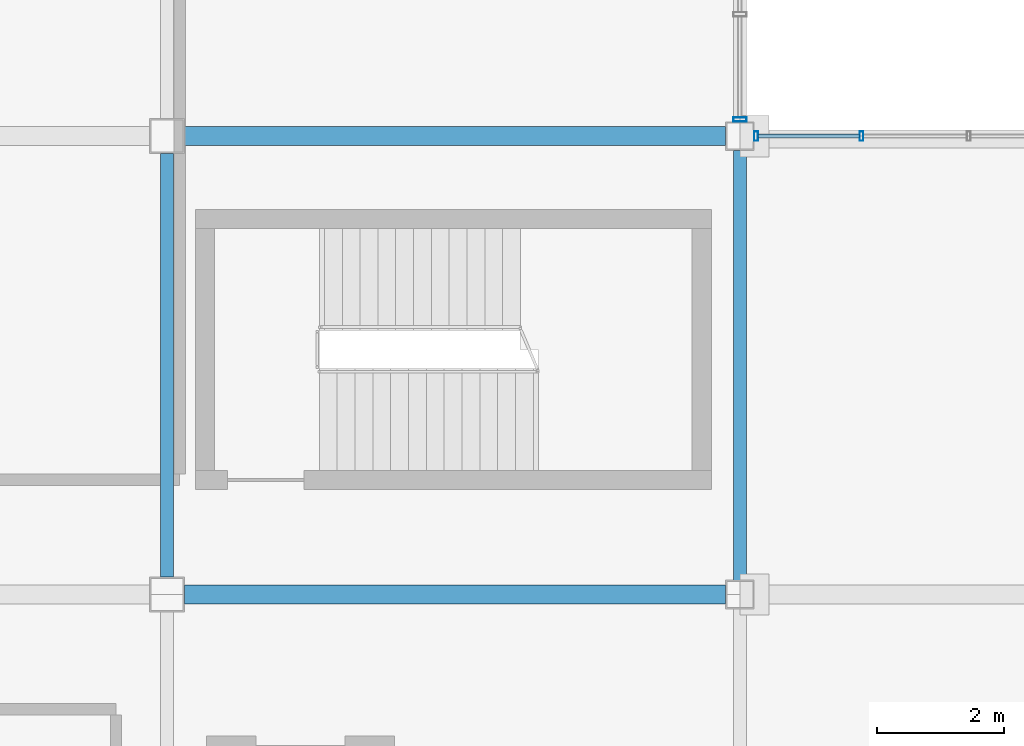
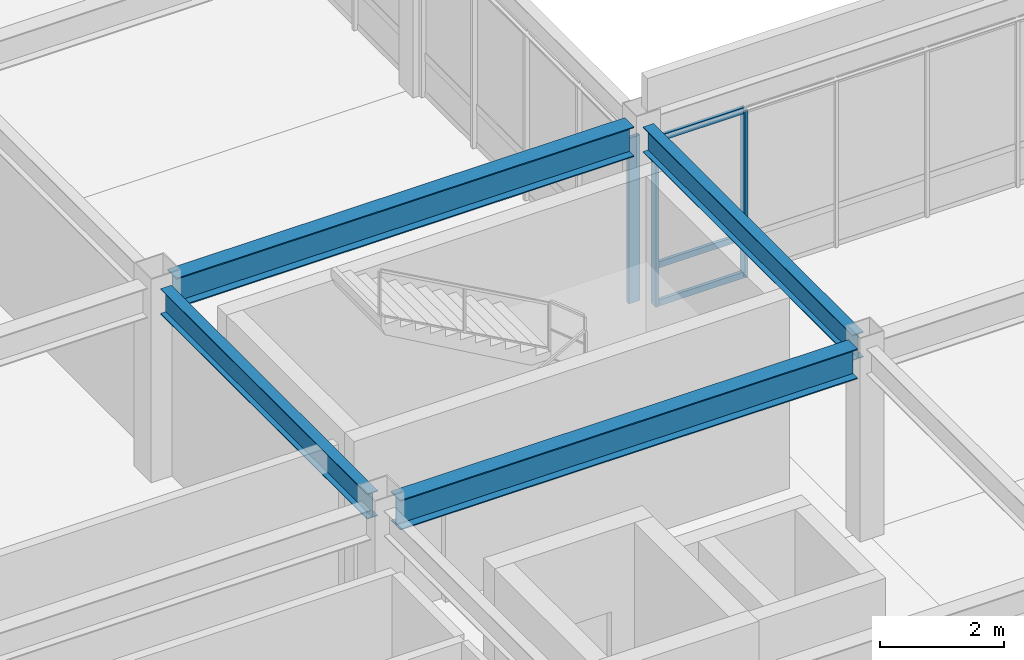
# One storey, part 77 of 122: 6 members, 4 beams, 2 elements without a shape of their own.
"""IFC4 building model written with IfcOpenShell, lengths in metres."""

import ifcopenshell
import ifcopenshell.guid

model = None  # the IFC model being written
_history = None  # IfcOwnerHistory: only IFC2X3 demands one
_inside = {}  # id of a spatial element -> (the spatial element, [elements in it])
_under = {}  # id of a project, library or spatial element -> (it, [spatial elements below it])
_declared = {}  # id of a project -> (the project, [libraries it declares])
_typed = {}  # id of a type object -> (the type object, [elements of that type])
_made_of = {}  # id of a material, layer set ... -> (it, [elements and type objects made of it])


def new_model(schema):
    """Start an empty IFC model of exactly this schema.

    Asked for "IFC4X3", IfcOpenShell would pick the latest addendum, in which some entities
    have other attributes; the version numbers below select the first issue.
    IFC2X3 requires an IfcOwnerHistory on every rooted entity: one is made here for all.
    """
    global model, _history
    if schema == "IFC4X3":
        model = ifcopenshell.file(schema_version=(4, 3, 0, 0))
    else:
        model = ifcopenshell.file(schema=schema)
    _inside.clear()
    _under.clear()
    _declared.clear()
    _typed.clear()
    _made_of.clear()
    _history = None
    if model.schema == "IFC2X3":
        org = make("IfcOrganization", Name="unknown")
        user = make(
            "IfcPersonAndOrganization",
            ThePerson=make("IfcPerson", FamilyName="unknown"),
            TheOrganization=org,
        )
        app = make(
            "IfcApplication",
            ApplicationDeveloper=org,
            Version="unknown",
            ApplicationFullName="unknown",
            ApplicationIdentifier="unknown",
        )
        _history = make(
            "IfcOwnerHistory",
            OwningUser=user,
            OwningApplication=app,
            ChangeAction="ADDED",
            CreationDate=0,
        )
    return model


def make(cls, **values):
    """One entity of the class cls with the attributes given. An attribute that is None is left unset."""
    return model.create_entity(
        cls, **{name: value for name, value in values.items() if value is not None}
    )


def rooted(cls, **values):
    """An entity with a GlobalId (a new one), such as an element, a storey or a relation."""
    return make(cls, GlobalId=ifcopenshell.guid.new(), OwnerHistory=_history, **values)


def si_unit(unit_type, name, prefix=None):
    """IfcSIUnit, for example si_unit("LENGTHUNIT", "METRE", prefix="MILLI")."""
    return make("IfcSIUnit", UnitType=unit_type, Prefix=prefix, Name=name)


def assignment(units):
    """IfcUnitAssignment: the units of a project."""
    return None if units is None else make("IfcUnitAssignment", Units=units)


def point(xyz):
    """IfcCartesianPoint."""
    return None if xyz is None else make("IfcCartesianPoint", Coordinates=xyz)


def direction(xyz):
    """IfcDirection."""
    return None if xyz is None else make("IfcDirection", DirectionRatios=xyz)


def frame(location, z_axis=None, x_axis=None):
    """IfcAxis2Placement3D, a coordinate frame: its origin and axes. An axis left out is left unset."""
    return make(
        "IfcAxis2Placement3D",
        Location=point(location),
        Axis=direction(z_axis),
        RefDirection=direction(x_axis),
    )


def frame_2d(location, x_axis=None):
    """IfcAxis2Placement2D, a coordinate frame in the plane: its origin and x axis."""
    return make(
        "IfcAxis2Placement2D", Location=point(location), RefDirection=direction(x_axis)
    )


def origin():
    """The frame at (0, 0, 0) with its axes left unset."""
    return frame((0.0, 0.0, 0.0))


def origin_2d():
    """The frame at (0, 0) in the plane with its x axis left unset."""
    return frame_2d((0.0, 0.0))


def place(relative_to, where):
    """IfcLocalPlacement: puts the frame where relative to a parent placement (None: the world)."""
    return make(
        "IfcLocalPlacement", PlacementRelTo=relative_to, RelativePlacement=where
    )


def context(
    kind, dimensions, precision=None, world=None, true_north=None, identifier=None
):
    """IfcGeometricRepresentationContext, for example the 3D "Model" context."""
    return make(
        "IfcGeometricRepresentationContext",
        ContextIdentifier=identifier,
        ContextType=kind,
        CoordinateSpaceDimension=dimensions,
        Precision=precision,
        WorldCoordinateSystem=world,
        TrueNorth=true_north,
    )


def subcontext(parent, identifier, kind, view, scale=None):
    """IfcGeometricRepresentationSubContext, for example "Body" below "Model"."""
    return make(
        "IfcGeometricRepresentationSubContext",
        ContextIdentifier=identifier,
        ContextType=kind,
        ParentContext=parent,
        TargetScale=scale,
        TargetView=view,
    )


def project(units=None, contexts=None):
    """IfcProject with its units and contexts."""
    return rooted(
        "IfcProject",
        Name="project",
        RepresentationContexts=contexts,
        UnitsInContext=assignment(units),
    )


def spatial(cls, under=None, at=None, **own):
    """A site, building, storey or space (cls), placed at a placement, below another one or the project."""
    s = rooted(cls, ObjectPlacement=at, **own)
    if under is not None:
        _under.setdefault(under.id(), (under, []))[1].append(s)
    return s


def profile(cls, at=None, kind="AREA", **sizes):
    """A parametric profile (cls). Its sizes go by their IFC names, for example OverallWidth=200.0."""
    return make(cls, ProfileType=kind, Position=at, **sizes)


def hollow_rectangle(**sizes):
    """IfcRectangleHollowProfileDef."""
    return profile("IfcRectangleHollowProfileDef", **sizes)


def i_section(**sizes):
    """IfcIShapeProfileDef."""
    return profile("IfcIShapeProfileDef", **sizes)


def extrude(swept, where, along, depth):
    """IfcExtrudedAreaSolid: the profile swept, set in the frame where, extruded along a direction by depth."""
    return make(
        "IfcExtrudedAreaSolid",
        SweptArea=swept,
        Position=where,
        ExtrudedDirection=direction(along),
        Depth=depth,
    )


def shape(context_of_items, identifier, shape_type, items):
    """IfcShapeRepresentation: the items that make up one representation, for example the "Body"."""
    return make(
        "IfcShapeRepresentation",
        ContextOfItems=context_of_items,
        RepresentationIdentifier=identifier,
        RepresentationType=shape_type,
        Items=items,
    )


def material(Name=None, Category=None):
    """IfcMaterial."""
    return make("IfcMaterial", Name=Name, Category=Category)


def material_profile(
    of_material, cross_section, Name=None, Category=None, Priority=None
):
    """IfcMaterialProfile: a cross section and its material."""
    return make(
        "IfcMaterialProfile",
        Name=Name,
        Material=of_material,
        Profile=cross_section,
        Priority=Priority,
        Category=Category,
    )


def profile_set(profiles, Name=None, composite=None):
    """IfcMaterialProfileSet."""
    return make(
        "IfcMaterialProfileSet",
        Name=Name,
        MaterialProfiles=profiles,
        CompositeProfile=composite,
    )


def made_of(thing, what):
    """Note that an element or type object is made of a material, layer set ...; save() writes the relation."""
    if what is not None:
        _made_of.setdefault(what.id(), (what, []))[1].append(thing)
    return thing


def type_object(cls, material=None, **own):
    """A type object (cls), such as IfcWallType, which elements share."""
    return made_of(rooted(cls, **own), material)


def element(
    cls,
    number,
    at=None,
    inside=None,
    cuts=None,
    type_object=None,
    material=None,
    context=None,
    identifier="Body",
    shape_type=None,
    held_by="IfcProductDefinitionShape",
    body=None,
    shapes=None,
    **own,
):
    """One element of the class cls, such as IfcWall. Its Tag is "e" and its number.

    at: its placement. inside: the storey or other place that contains it. cuts: it is an
    opening in that element (IfcRelVoidsElement). A single representation is given by context,
    identifier, shape_type and body (its items); several are given by shapes. held_by: the class
    of the entity that holds the representations. save() writes the other relations.
    """
    e = rooted(cls, Tag="e%d" % number, ObjectPlacement=at, **own)
    if body is not None:
        shapes = [shape(context, identifier, shape_type, body)]
    if shapes is not None:
        e.Representation = make(held_by, Representations=shapes)
    if inside is not None:
        _inside.setdefault(inside.id(), (inside, []))[1].append(e)
    if cuts is not None:
        rooted(
            "IfcRelVoidsElement", RelatingBuildingElement=cuts, RelatedOpeningElement=e
        )
    if type_object is not None:
        _typed.setdefault(type_object.id(), (type_object, []))[1].append(e)
    return made_of(e, material)


def aggregate(whole, parts):
    """IfcRelAggregates: a whole, such as a stair, and the parts it consists of."""
    return rooted("IfcRelAggregates", RelatingObject=whole, RelatedObjects=parts)


def save(model, path):
    """Write the relations noted so far, then the file.

    IfcRelAggregates (storeys below a building ...), IfcRelContainedInSpatialStructure (elements
    in a storey), IfcRelDefinesByType, IfcRelAssociatesMaterial and IfcRelDeclares: one each for
    every whole, place, type object, material and project.
    """
    for whole, parts in _under.values():
        aggregate(whole, parts)
    for where, things in _inside.values():
        rooted(
            "IfcRelContainedInSpatialStructure",
            RelatedElements=things,
            RelatingStructure=where,
        )
    for kind, things in _typed.values():
        rooted("IfcRelDefinesByType", RelatedObjects=things, RelatingType=kind)
    for what, things in _made_of.values():
        rooted("IfcRelAssociatesMaterial", RelatedObjects=things, RelatingMaterial=what)
    for by, libraries in _declared.values():
        rooted("IfcRelDeclares", RelatingContext=by, RelatedDefinitions=libraries)
    model.write(path)


model = new_model("IFC4")

# Units and contexts
model_context = context("Model", 3, precision=1e-05, world=origin(), true_north=direction((0.0, 1.0)))
body_context = subcontext(model_context, "Body", "Model", "MODEL_VIEW")
ifc_project = project(units=[si_unit("LENGTHUNIT", "METRE"), si_unit("AREAUNIT", "SQUARE_METRE"), si_unit("VOLUMEUNIT", "CUBIC_METRE"), si_unit("PLANEANGLEUNIT", "RADIAN"), si_unit("MASSUNIT", "GRAM", prefix="KILO")], contexts=[model_context])

# Site, building, storey
site_placement = place(None, origin())
site = spatial("IfcSite", under=ifc_project, at=site_placement, CompositionType="ELEMENT")
building_placement = place(site_placement, origin())
building = spatial("IfcBuilding", under=site, at=building_placement, Name="Kazanami Central Library", CompositionType="ELEMENT")
storey_placement = place(building_placement, frame((0.0, 0.0, 4.800048828125)))
storey = spatial("IfcBuildingStorey", under=building, at=storey_placement, Name="L02", CompositionType="ELEMENT", Elevation=4.800048828125)

# Beams
ifc_material_1 = material(Name="Steel SN490B (325 MPa)", Category="steel")
ifc_material_profile_1 = material_profile(ifc_material_1, i_section(OverallWidth=0.300048828125, OverallDepth=0.587890625, WebThickness=0.011962890625, FlangeThickness=0.02001953125, at=origin_2d()), Name="H-588x300x12x20")
ifc_profile_set_1 = profile_set([ifc_material_profile_1], Name="Steel SN490B (325 MPa)")
beam_type_1 = type_object("IfcBeamType", Name="BM-G-X2", PredefinedType="BEAM", material=ifc_profile_set_1)
for number, where, z_axis, x_axis, name in (
    (1, (99.27294921875, 72.0, 3.4609375), (1.0, 0.0, 0.0), (0.0, 1.0, 0.0), "Girder G-X2 L02 L/12-13"),
    (2, (99.27294921875, 79.199951171875, 3.4609375), (1.0, 0.0, 0.0), (0.0, 1.0, 0.0), "Girder G-X2 L02 M/12-13"),
):
    element("IfcBeam", number, at=place(storey_placement, frame(where, z_axis=z_axis, x_axis=x_axis)), inside=storey, type_object=beam_type_1, Name=name, PredefinedType="BEAM", context=body_context, shape_type="SweptSolid", body=[
        extrude(i_section(OverallWidth=0.300048828125, OverallDepth=0.587890625, WebThickness=0.011962890625, FlangeThickness=0.02001953125, at=origin_2d()), origin(), (0.0, 0.0, 1.0), 8.504150390625),
    ])
ifc_material_profile_2 = material_profile(ifc_material_1, i_section(OverallWidth=0.199951171875, OverallDepth=0.5, WebThickness=0.010009765625, FlangeThickness=0.01611328125, at=origin_2d()), Name="H-500x200x10x16")
ifc_profile_set_2 = profile_set([ifc_material_profile_2], Name="Steel SN490B (325 MPa)")
beam_type_2 = type_object("IfcBeamType", Name="BM-G-Y2", PredefinedType="BEAM", material=ifc_profile_set_2)
beam_1_placement = place(storey_placement, frame((99.0, 72.27294921875, 3.5048828125), z_axis=(0.0, 1.0, 0.0), x_axis=(-1.0, 0.0, 0.0)))
element("IfcBeam", 3, at=beam_1_placement, inside=storey, type_object=beam_type_2, Name="Girder G-Y2 L02 12/L-M", PredefinedType="BEAM", context=body_context, shape_type="SweptSolid", body=[
    extrude(i_section(OverallWidth=0.199951171875, OverallDepth=0.5, WebThickness=0.010009765625, FlangeThickness=0.01611328125, at=origin_2d()), origin(), (0.0, 0.0, 1.0), 6.654052734375),
])
beam_2_placement = place(storey_placement, frame((108.0, 72.222900390625, 3.5048828125), z_axis=(0.0, 1.0, 0.0), x_axis=(-1.0, 0.0, 0.0)))
element("IfcBeam", 4, at=beam_2_placement, inside=storey, type_object=beam_type_2, Name="Girder G-Y2 L02 13/L-M", PredefinedType="BEAM", context=body_context, shape_type="SweptSolid", body=[
    extrude(i_section(OverallWidth=0.199951171875, OverallDepth=0.5, WebThickness=0.010009765625, FlangeThickness=0.01611328125, at=origin_2d()), origin(), (0.0, 0.0, 1.0), 6.754150390625),
])

# Curtain wall, member
ifc_material_2 = material(Name="Acid-Etched Low-E Laminated Glass", Category="glass")
curtain_wall_type_1 = type_object("IfcCurtainWallType", Name="CW-6750x3255-M180", PredefinedType="USERDEFINED", material=ifc_material_2)
curtain_wall_1_placement = place(storey_placement, origin())
curtain_wall_1 = element("IfcCurtainWall", 5, at=curtain_wall_1_placement, inside=storey, type_object=curtain_wall_type_1, Name="Covered Link Bridge Curtain Wall CW-21 L02 E-13-11", ObjectType="UNITISED CURTAIN WALL", PredefinedType="USERDEFINED")
ifc_material_3 = material(Name="Anodised Aluminium A6063-T5", Category="aluminium")
ifc_material_profile_3 = material_profile(ifc_material_3, hollow_rectangle(XDim=0.070068359375, YDim=0.2099609375, WallThickness=0.0048828125, at=origin_2d()), Name="ALU-MULL-70x210x5")
ifc_profile_set_3 = profile_set([ifc_material_profile_3], Name="Anodised Aluminium A6063-T5")
member_type_1 = type_object("IfcMemberType", Name="MEM-CW-M1", PredefinedType="MULLION", material=ifc_profile_set_3)
member_1_placement = place(storey_placement, frame((108.0, 79.4599609375, 0.0), z_axis=(0.0, 0.0, 1.0), x_axis=(0.0, -1.0, 0.0)))
member_1 = element("IfcMember", 6, at=member_1_placement, type_object=member_type_1, Name="CW-21 mullion 5", PredefinedType="MULLION", context=body_context, shape_type="SweptSolid", body=[
    extrude(hollow_rectangle(XDim=0.070068359375, YDim=0.2099609375, WallThickness=0.0048828125, at=origin_2d()), origin(), (0.0, 0.0, 1.0), 3.2548828125),
])
aggregate(curtain_wall_1, [member_1])

# Curtain wall, members
curtain_wall_type_2 = type_object("IfcCurtainWallType", Name="CW-8425x3290-M180", PredefinedType="USERDEFINED", material=ifc_material_2)
curtain_wall_2_placement = place(storey_placement, origin())
curtain_wall_2 = element("IfcCurtainWall", 7, at=curtain_wall_2_placement, inside=storey, type_object=curtain_wall_type_2, Name="Covered Link Bridge Curtain Wall CW-18 L02 N-M-12", ObjectType="UNITISED CURTAIN WALL", PredefinedType="USERDEFINED")
ifc_material_profile_4 = material_profile(ifc_material_3, hollow_rectangle(XDim=0.06005859375, YDim=0.14990234375, WallThickness=0.00390625, at=origin_2d()), Name="ALU-MULL-60x150x4")
ifc_profile_set_4 = profile_set([ifc_material_profile_4], Name="Anodised Aluminium A6063-T5")
member_type_2 = type_object("IfcMemberType", Name="MEM-CW-M3", PredefinedType="MULLION", material=ifc_profile_set_4)
member_2_placement = place(storey_placement, frame((109.909912109375, 79.199951171875, 0.0), z_axis=(0.0, 0.0, 1.0), x_axis=(-1.0, 0.0, 0.0)))
member_2 = element("IfcMember", 8, at=member_2_placement, type_object=member_type_2, Name="CW-18 mullion 5", PredefinedType="MULLION", context=body_context, shape_type="SweptSolid", body=[
    extrude(hollow_rectangle(XDim=0.06005859375, YDim=0.14990234375, WallThickness=0.00390625, at=origin_2d()), origin(), (0.0, 0.0, 1.0), 3.2900390625),
])
member_3_placement = place(storey_placement, frame((108.2548828125, 79.199951171875, 0.0), z_axis=(0.0, 0.0, 1.0), x_axis=(-1.0, 0.0, 0.0)))
member_3 = element("IfcMember", 9, at=member_3_placement, type_object=member_type_2, Name="CW-18 mullion 6", PredefinedType="MULLION", context=body_context, shape_type="SweptSolid", body=[
    extrude(hollow_rectangle(XDim=0.06005859375, YDim=0.14990234375, WallThickness=0.00390625, at=origin_2d()), origin(), (0.0, 0.0, 1.0), 3.2900390625),
])
ifc_material_profile_5 = material_profile(ifc_material_3, hollow_rectangle(XDim=0.06005859375, YDim=0.1201171875, WallThickness=0.00341796875, at=origin_2d()), Name="ALU-TRAN-60x120x3.5")
ifc_profile_set_5 = profile_set([ifc_material_profile_5], Name="Anodised Aluminium A6063-T5")
member_type_3 = type_object("IfcMemberType", Name="MEM-CW-T3", PredefinedType="USERDEFINED", material=ifc_profile_set_5)
member_4_placement = place(storey_placement, frame((109.8798828125, 79.199951171875, 0.030029296875), z_axis=(-1.0, 0.0, 0.0), x_axis=(0.0, -1.0, 0.0)))
member_4 = element("IfcMember", 10, at=member_4_placement, type_object=member_type_3, Name="CW-18 transom 5.1", ObjectType="TRANSOM", PredefinedType="USERDEFINED", context=body_context, shape_type="SweptSolid", body=[
    extrude(hollow_rectangle(XDim=0.06005859375, YDim=0.1201171875, WallThickness=0.00341796875, at=origin_2d()), origin(), (0.0, 0.0, 1.0), 1.594970703125),
])
member_5_placement = place(storey_placement, frame((109.8798828125, 79.199951171875, 0.780029296875), z_axis=(-1.0, 0.0, 0.0), x_axis=(0.0, -1.0, 0.0)))
member_5 = element("IfcMember", 11, at=member_5_placement, type_object=member_type_3, Name="CW-18 transom 5.2", ObjectType="TRANSOM", PredefinedType="USERDEFINED", context=body_context, shape_type="SweptSolid", body=[
    extrude(hollow_rectangle(XDim=0.06005859375, YDim=0.1201171875, WallThickness=0.00341796875, at=origin_2d()), origin(), (0.0, 0.0, 1.0), 1.594970703125),
])
member_6_placement = place(storey_placement, frame((109.8798828125, 79.199951171875, 3.260009765625), z_axis=(-1.0, 0.0, 0.0), x_axis=(0.0, -1.0, 0.0)))
member_6 = element("IfcMember", 12, at=member_6_placement, type_object=member_type_3, Name="CW-18 transom 5.3", ObjectType="TRANSOM", PredefinedType="USERDEFINED", context=body_context, shape_type="SweptSolid", body=[
    extrude(hollow_rectangle(XDim=0.06005859375, YDim=0.1201171875, WallThickness=0.00341796875, at=origin_2d()), origin(), (0.0, 0.0, 1.0), 1.594970703125),
])
aggregate(curtain_wall_2, [member_2, member_3, member_4, member_5, member_6])

save(model, "model.ifc")
